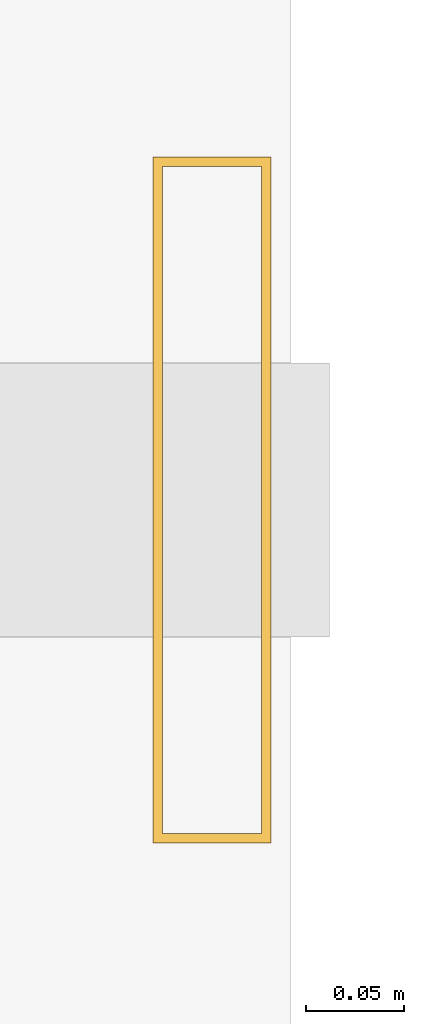
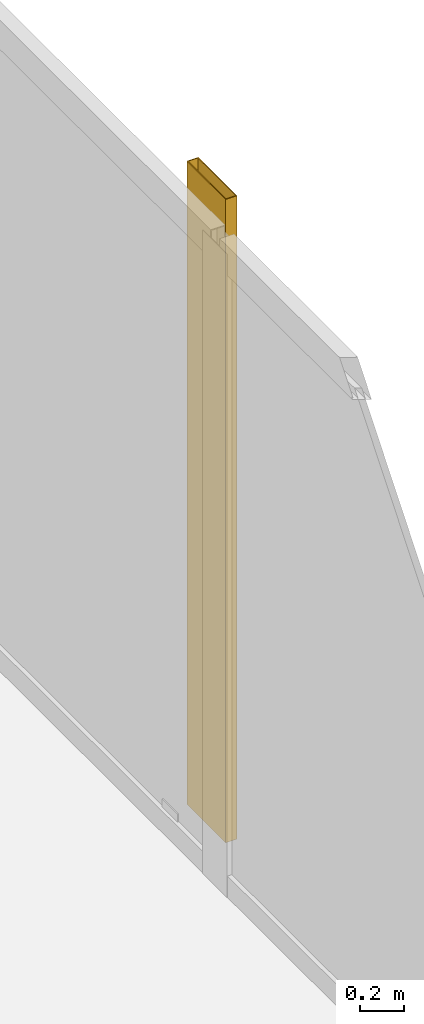
# One storey, part 28 of 28: 1 shading device.
"""IFC4 building model written with IfcOpenShell, lengths in metres."""

import ifcopenshell
import ifcopenshell.guid

model = None  # the IFC model being written
_history = None  # IfcOwnerHistory: only IFC2X3 demands one
_inside = {}  # id of a spatial element -> (the spatial element, [elements in it])
_under = {}  # id of a project, library or spatial element -> (it, [spatial elements below it])
_declared = {}  # id of a project -> (the project, [libraries it declares])
_typed = {}  # id of a type object -> (the type object, [elements of that type])
_made_of = {}  # id of a material, layer set ... -> (it, [elements and type objects made of it])


def new_model(schema):
    """Start an empty IFC model of exactly this schema.

    Asked for "IFC4X3", IfcOpenShell would pick the latest addendum, in which some entities
    have other attributes; the version numbers below select the first issue.
    IFC2X3 requires an IfcOwnerHistory on every rooted entity: one is made here for all.
    """
    global model, _history
    if schema == "IFC4X3":
        model = ifcopenshell.file(schema_version=(4, 3, 0, 0))
    else:
        model = ifcopenshell.file(schema=schema)
    _inside.clear()
    _under.clear()
    _declared.clear()
    _typed.clear()
    _made_of.clear()
    _history = None
    if model.schema == "IFC2X3":
        org = make("IfcOrganization", Name="unknown")
        user = make(
            "IfcPersonAndOrganization",
            ThePerson=make("IfcPerson", FamilyName="unknown"),
            TheOrganization=org,
        )
        app = make(
            "IfcApplication",
            ApplicationDeveloper=org,
            Version="unknown",
            ApplicationFullName="unknown",
            ApplicationIdentifier="unknown",
        )
        _history = make(
            "IfcOwnerHistory",
            OwningUser=user,
            OwningApplication=app,
            ChangeAction="ADDED",
            CreationDate=0,
        )
    return model


def make(cls, **values):
    """One entity of the class cls with the attributes given. An attribute that is None is left unset."""
    return model.create_entity(
        cls, **{name: value for name, value in values.items() if value is not None}
    )


def rooted(cls, **values):
    """An entity with a GlobalId (a new one), such as an element, a storey or a relation."""
    return make(cls, GlobalId=ifcopenshell.guid.new(), OwnerHistory=_history, **values)


def si_unit(unit_type, name, prefix=None):
    """IfcSIUnit, for example si_unit("LENGTHUNIT", "METRE", prefix="MILLI")."""
    return make("IfcSIUnit", UnitType=unit_type, Prefix=prefix, Name=name)


def assignment(units):
    """IfcUnitAssignment: the units of a project."""
    return None if units is None else make("IfcUnitAssignment", Units=units)


def point(xyz):
    """IfcCartesianPoint."""
    return None if xyz is None else make("IfcCartesianPoint", Coordinates=xyz)


def direction(xyz):
    """IfcDirection."""
    return None if xyz is None else make("IfcDirection", DirectionRatios=xyz)


def frame(location, z_axis=None, x_axis=None):
    """IfcAxis2Placement3D, a coordinate frame: its origin and axes. An axis left out is left unset."""
    return make(
        "IfcAxis2Placement3D",
        Location=point(location),
        Axis=direction(z_axis),
        RefDirection=direction(x_axis),
    )


def frame_2d(location, x_axis=None):
    """IfcAxis2Placement2D, a coordinate frame in the plane: its origin and x axis."""
    return make(
        "IfcAxis2Placement2D", Location=point(location), RefDirection=direction(x_axis)
    )


def origin():
    """The frame at (0, 0, 0) with its axes left unset."""
    return frame((0.0, 0.0, 0.0))


def origin_2d():
    """The frame at (0, 0) in the plane with its x axis left unset."""
    return frame_2d((0.0, 0.0))


def place(relative_to, where):
    """IfcLocalPlacement: puts the frame where relative to a parent placement (None: the world)."""
    return make(
        "IfcLocalPlacement", PlacementRelTo=relative_to, RelativePlacement=where
    )


def context(
    kind, dimensions, precision=None, world=None, true_north=None, identifier=None
):
    """IfcGeometricRepresentationContext, for example the 3D "Model" context."""
    return make(
        "IfcGeometricRepresentationContext",
        ContextIdentifier=identifier,
        ContextType=kind,
        CoordinateSpaceDimension=dimensions,
        Precision=precision,
        WorldCoordinateSystem=world,
        TrueNorth=true_north,
    )


def subcontext(parent, identifier, kind, view, scale=None):
    """IfcGeometricRepresentationSubContext, for example "Body" below "Model"."""
    return make(
        "IfcGeometricRepresentationSubContext",
        ContextIdentifier=identifier,
        ContextType=kind,
        ParentContext=parent,
        TargetScale=scale,
        TargetView=view,
    )


def project(units=None, contexts=None):
    """IfcProject with its units and contexts."""
    return rooted(
        "IfcProject",
        Name="project",
        RepresentationContexts=contexts,
        UnitsInContext=assignment(units),
    )


def spatial(cls, under=None, at=None, **own):
    """A site, building, storey or space (cls), placed at a placement, below another one or the project."""
    s = rooted(cls, ObjectPlacement=at, **own)
    if under is not None:
        _under.setdefault(under.id(), (under, []))[1].append(s)
    return s


def profile(cls, at=None, kind="AREA", **sizes):
    """A parametric profile (cls). Its sizes go by their IFC names, for example OverallWidth=200.0."""
    return make(cls, ProfileType=kind, Position=at, **sizes)


def hollow_rectangle(**sizes):
    """IfcRectangleHollowProfileDef."""
    return profile("IfcRectangleHollowProfileDef", **sizes)


def extrude(swept, where, along, depth):
    """IfcExtrudedAreaSolid: the profile swept, set in the frame where, extruded along a direction by depth."""
    return make(
        "IfcExtrudedAreaSolid",
        SweptArea=swept,
        Position=where,
        ExtrudedDirection=direction(along),
        Depth=depth,
    )


def shape(context_of_items, identifier, shape_type, items):
    """IfcShapeRepresentation: the items that make up one representation, for example the "Body"."""
    return make(
        "IfcShapeRepresentation",
        ContextOfItems=context_of_items,
        RepresentationIdentifier=identifier,
        RepresentationType=shape_type,
        Items=items,
    )


def material(Name=None, Category=None):
    """IfcMaterial."""
    return make("IfcMaterial", Name=Name, Category=Category)


def material_profile(
    of_material, cross_section, Name=None, Category=None, Priority=None
):
    """IfcMaterialProfile: a cross section and its material."""
    return make(
        "IfcMaterialProfile",
        Name=Name,
        Material=of_material,
        Profile=cross_section,
        Priority=Priority,
        Category=Category,
    )


def profile_set(profiles, Name=None, composite=None):
    """IfcMaterialProfileSet."""
    return make(
        "IfcMaterialProfileSet",
        Name=Name,
        MaterialProfiles=profiles,
        CompositeProfile=composite,
    )


def made_of(thing, what):
    """Note that an element or type object is made of a material, layer set ...; save() writes the relation."""
    if what is not None:
        _made_of.setdefault(what.id(), (what, []))[1].append(thing)
    return thing


def type_object(cls, material=None, **own):
    """A type object (cls), such as IfcWallType, which elements share."""
    return made_of(rooted(cls, **own), material)


def element(
    cls,
    number,
    at=None,
    inside=None,
    cuts=None,
    type_object=None,
    material=None,
    context=None,
    identifier="Body",
    shape_type=None,
    held_by="IfcProductDefinitionShape",
    body=None,
    shapes=None,
    **own,
):
    """One element of the class cls, such as IfcWall. Its Tag is "e" and its number.

    at: its placement. inside: the storey or other place that contains it. cuts: it is an
    opening in that element (IfcRelVoidsElement). A single representation is given by context,
    identifier, shape_type and body (its items); several are given by shapes. held_by: the class
    of the entity that holds the representations. save() writes the other relations.
    """
    e = rooted(cls, Tag="e%d" % number, ObjectPlacement=at, **own)
    if body is not None:
        shapes = [shape(context, identifier, shape_type, body)]
    if shapes is not None:
        e.Representation = make(held_by, Representations=shapes)
    if inside is not None:
        _inside.setdefault(inside.id(), (inside, []))[1].append(e)
    if cuts is not None:
        rooted(
            "IfcRelVoidsElement", RelatingBuildingElement=cuts, RelatedOpeningElement=e
        )
    if type_object is not None:
        _typed.setdefault(type_object.id(), (type_object, []))[1].append(e)
    return made_of(e, material)


def aggregate(whole, parts):
    """IfcRelAggregates: a whole, such as a stair, and the parts it consists of."""
    return rooted("IfcRelAggregates", RelatingObject=whole, RelatedObjects=parts)


def save(model, path):
    """Write the relations noted so far, then the file.

    IfcRelAggregates (storeys below a building ...), IfcRelContainedInSpatialStructure (elements
    in a storey), IfcRelDefinesByType, IfcRelAssociatesMaterial and IfcRelDeclares: one each for
    every whole, place, type object, material and project.
    """
    for whole, parts in _under.values():
        aggregate(whole, parts)
    for where, things in _inside.values():
        rooted(
            "IfcRelContainedInSpatialStructure",
            RelatedElements=things,
            RelatingStructure=where,
        )
    for kind, things in _typed.values():
        rooted("IfcRelDefinesByType", RelatedObjects=things, RelatingType=kind)
    for what, things in _made_of.values():
        rooted("IfcRelAssociatesMaterial", RelatedObjects=things, RelatingMaterial=what)
    for by, libraries in _declared.values():
        rooted("IfcRelDeclares", RelatingContext=by, RelatedDefinitions=libraries)
    model.write(path)


model = new_model("IFC4")

# Units and contexts
model_context = context("Model", 3, precision=1e-05, world=origin(), true_north=direction((0.0, 1.0)))
body_context = subcontext(model_context, "Body", "Model", "MODEL_VIEW")
ifc_project = project(units=[si_unit("LENGTHUNIT", "METRE"), si_unit("AREAUNIT", "SQUARE_METRE"), si_unit("VOLUMEUNIT", "CUBIC_METRE"), si_unit("PLANEANGLEUNIT", "RADIAN"), si_unit("MASSUNIT", "GRAM", prefix="KILO")], contexts=[model_context])

# Site, building, storey
site_placement = place(None, origin())
site = spatial("IfcSite", under=ifc_project, at=site_placement, CompositionType="ELEMENT")
building_placement = place(site_placement, origin())
building = spatial("IfcBuilding", under=site, at=building_placement, Name="Kolvaren Waterfront Exchange", CompositionType="ELEMENT")
storey_placement = place(building_placement, frame((0.0, 0.0, 75.199951171875)))
storey = spatial("IfcBuildingStorey", under=building, at=storey_placement, Name="L19", CompositionType="ELEMENT", Elevation=75.199951171875)

# Shading device
ifc_material = material(Name="Anodised bronze aluminium 6063-T6", Category="aluminium")
ifc_material_profile = material_profile(ifc_material, hollow_rectangle(XDim=0.06005859375, YDim=0.35009765625, WallThickness=0.0048828125, at=origin_2d()), Name="BRZ-FIN-350x60x5")
ifc_profile_set = profile_set([ifc_material_profile], Name="Anodised bronze aluminium 6063-T6")
shading_device_type = type_object("IfcShadingDeviceType", Name="ARC-FIN-350", PredefinedType="USERDEFINED", material=ifc_profile_set)
shading_device_placement = place(storey_placement, frame((25.56005859375, 36.39990234375, 0.0), z_axis=(0.0, 0.0, 1.0), x_axis=(1.0, 0.0, 0.0)))
element("IfcShadingDevice", 1, at=shading_device_placement, inside=storey, type_object=shading_device_type, Name="L19 anodised bronze solar shading fin FIN-L19-E3", ObjectType="SOLAR FIN", PredefinedType="USERDEFINED", context=body_context, shape_type="SweptSolid", body=[
    extrude(hollow_rectangle(XDim=0.06005859375, YDim=0.35009765625, WallThickness=0.0048828125, at=origin_2d()), origin(), (0.0, 0.0, 1.0), 3.5400390625),
])

save(model, "model.ifc")
